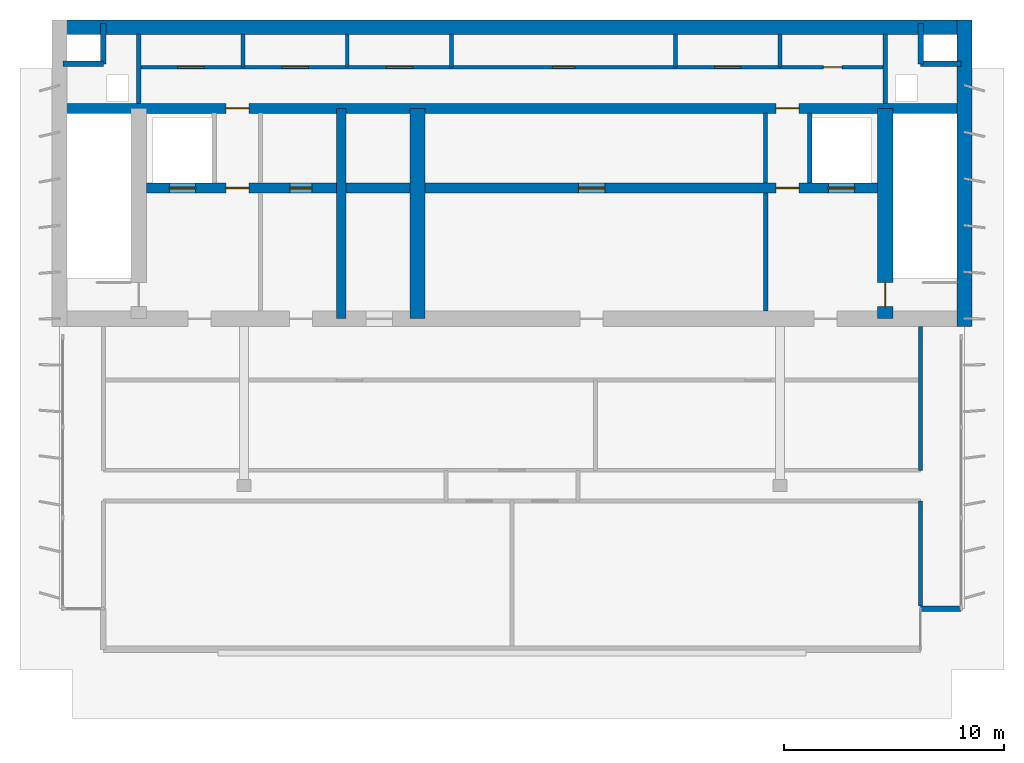
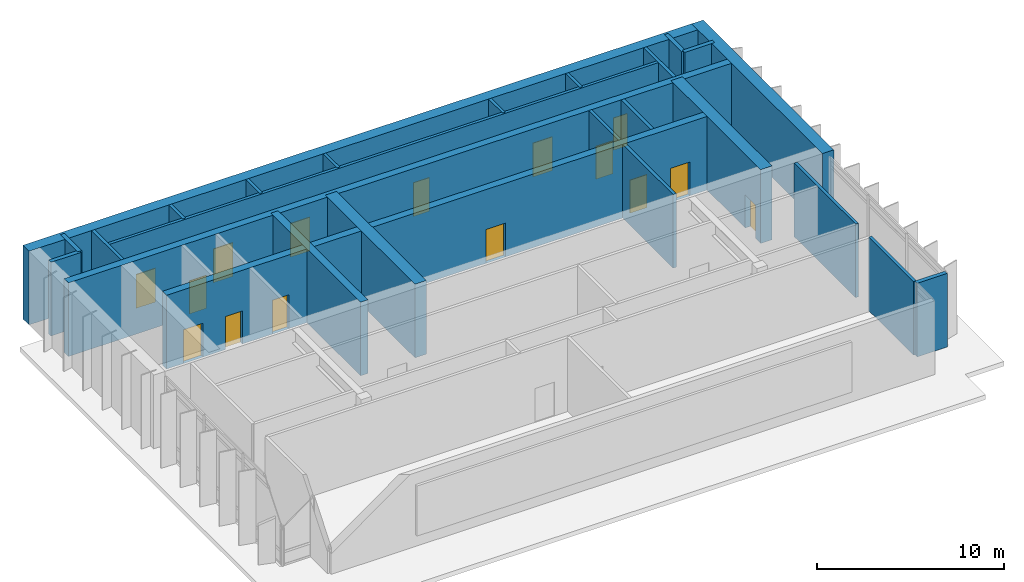
# One storey, part 4 of 5: 25 walls, 15 doors, 15 openings.
"""IFC4 building model written with IfcOpenShell, lengths in metres."""

from ifc_helpers import new_model, si_unit, direction, frame, frame_2d, origin, place, context, subcontext, project, spatial, rectangle, extrude, material, layer, layer_set, type_object, element, fill, save


model = new_model("IFC4")

# Units and contexts
model_context = context("Model", 3, precision=1e-05, world=origin(), true_north=direction((0.0, 1.0)))
body_context = subcontext(model_context, "Body", "Model", "MODEL_VIEW")
ifc_project = project(units=[si_unit("LENGTHUNIT", "METRE"), si_unit("AREAUNIT", "SQUARE_METRE"), si_unit("VOLUMEUNIT", "CUBIC_METRE"), si_unit("PLANEANGLEUNIT", "RADIAN"), si_unit("MASSUNIT", "GRAM", prefix="KILO")], contexts=[model_context])

# Site, building, storey
site_placement = place(None, origin())
site = spatial("IfcSite", under=ifc_project, at=site_placement, CompositionType="ELEMENT")
building_placement = place(site_placement, origin())
building = spatial("IfcBuilding", under=site, at=building_placement, Name="Caelmar Bay Residences", CompositionType="ELEMENT")
storey_placement = place(building_placement, frame((0.0, 0.0, 300.39990234375)))
storey = spatial("IfcBuildingStorey", under=building, at=storey_placement, Name="L82", CompositionType="ELEMENT", Elevation=300.39990234375)

# Wall
ifc_material_1 = material(Name="Concrete f'c 55 MPa (8,000 psi)", Category="concrete")
ifc_layer_1 = layer(ifc_material_1, 0.699951171875)
ifc_layer_set_1 = layer_set([ifc_layer_1], Name="Concrete f'c 55 MPa (8,000 psi)")
wall_type_1 = type_object("IfcWallType", Name="SW-COR-700", PredefinedType="SHEAR", material=ifc_layer_set_1)
wall_1_placement = place(storey_placement, frame((59.5, 36.64990234375, 0.0), z_axis=(0.0, 0.0, 1.0), x_axis=(0.0, 1.0, 0.0)))
element("IfcWall", 1, at=wall_1_placement, inside=storey, type_object=wall_type_1, Name="L82 Rear Core East Shear Wall", PredefinedType="SHEAR", context=body_context, shape_type="SweptSolid", body=[
    extrude(rectangle(XDim=13.9501953125, YDim=0.699951171875, at=frame_2d((6.97509765625, 0.0))), origin(), (0.0, 0.0, 1.0), 4.800048828125),
])

# Wall, opening, door
wall_2_placement = place(storey_placement, frame((55.89990234375, 37.0, 0.0), z_axis=(0.0, 0.0, 1.0), x_axis=(0.0, 1.0, 0.0)))
wall_2 = element("IfcWall", 2, at=wall_2_placement, inside=storey, type_object=wall_type_1, Name="L82 Core Structural Web Wall ST2W", PredefinedType="SHEAR", context=body_context, shape_type="SweptSolid", body=[
    extrude(rectangle(XDim=9.574951171875, YDim=0.699951171875, at=frame_2d((4.78759765625, 0.0))), origin(), (0.0, 0.0, 1.0), 4.800048828125),
])
opening_1_placement = place(wall_2_placement, frame((0.550048828125, 0.0, 0.0)))
opening_1 = element("IfcOpeningElement", 3, at=opening_1_placement, cuts=wall_2, Name="Opening D-L82-108", PredefinedType="OPENING", context=body_context, shape_type="SweptSolid", body=[
    extrude(rectangle(XDim=1.10009765625, YDim=2.14990234375, at=frame_2d((0.550048828125, 1.074951171875))), frame((0.0, 0.35986328125, 0.0), z_axis=(0.0, -1.0, 0.0), x_axis=(1.0, 0.0, 0.0)), (0.0, 0.0, 1.0), 0.719970703125),
])
ifc_material_2 = material(Name="Fire-rated steel and walnut architectural door assembly", Category="steel")
ifc_layer_2 = layer(ifc_material_2, 0.050048828125)
ifc_layer_set_2 = layer_set([ifc_layer_2], Name="Fire-rated steel and walnut architectural door assembly")
door_type_1 = type_object("IfcDoorType", Name="D-STAIR-1100", OperationType="NOTDEFINED", PredefinedType="DOOR", material=ifc_layer_set_2)
door_1_placement = place(opening_1_placement, origin())
door_1 = element("IfcDoor", 4, at=door_1_placement, inside=storey, type_object=door_type_1, Name="L82 Firefighting Lobby East Door", OperationType="SINGLE_SWING_LEFT", OverallHeight=2.14990234375, OverallWidth=1.10009765625, PredefinedType="DOOR", context=body_context, shape_type="SweptSolid", body=[
    extrude(rectangle(XDim=1.10009765625, YDim=2.14990234375, at=frame_2d((0.550048828125, 1.074951171875))), frame((0.0, 0.02490234375, 0.0), z_axis=(0.0, -1.0, 0.0), x_axis=(1.0, 0.0, 0.0)), (0.0, 0.0, 1.0), 0.050048828125),
])
fill(opening_1, door_1)

# Walls
wall_3_placement = place(storey_placement, frame((34.60009765625, 37.0, 0.0), z_axis=(0.0, 0.0, 1.0), x_axis=(0.0, 1.0, 0.0)))
element("IfcWall", 5, at=wall_3_placement, inside=storey, type_object=wall_type_1, Name="L82 Core Structural Web Wall ST3E", PredefinedType="SHEAR", context=body_context, shape_type="SweptSolid", body=[
    extrude(rectangle(XDim=9.574951171875, YDim=0.699951171875, at=frame_2d((4.78759765625, 0.0))), origin(), (0.0, 0.0, 1.0), 4.800048828125),
])
ifc_layer_3 = layer(ifc_material_1, 0.64990234375)
ifc_layer_set_3 = layer_set([ifc_layer_3], Name="Concrete f'c 55 MPa (8,000 psi)")
wall_type_2 = type_object("IfcWallType", Name="SW-CORN-650", PredefinedType="SHEAR", material=ifc_layer_set_3)
wall_4_placement = place(storey_placement, frame((17.949951171875, 50.27490234375, 0.0), z_axis=(0.0, 0.0, 1.0), x_axis=(1.0, 0.0, 0.0)))
element("IfcWall", 6, at=wall_4_placement, inside=storey, type_object=wall_type_2, Name="L82 Rear Core North Shear Wall", PredefinedType="SHEAR", context=body_context, shape_type="SweptSolid", body=[
    extrude(rectangle(XDim=41.900146484375, YDim=0.64990234375, at=frame_2d((20.9501953125, 0.0))), origin(), (0.0, 0.0, 1.0), 4.800048828125),
])
ifc_material_3 = material(Name="Concrete f'c 70 MPa (10,000 psi)", Category="concrete")
ifc_layer_4 = layer(ifc_material_3, 0.449951171875)
ifc_layer_set_4 = layer_set([ifc_layer_4], Name="Concrete f'c 70 MPa (10,000 psi)")
wall_type_3 = type_object("IfcWallType", Name="SW-WEB-450", PredefinedType="SHEAR", material=ifc_layer_set_4)
wall_5_placement = place(storey_placement, frame((31.125, 37.0, 0.0), z_axis=(0.0, 0.0, 1.0), x_axis=(0.0, 1.0, 0.0)))
element("IfcWall", 7, at=wall_5_placement, inside=storey, type_object=wall_type_3, Name="L82 Core Structural Web Wall ST3W", PredefinedType="SHEAR", context=body_context, shape_type="SweptSolid", body=[
    extrude(rectangle(XDim=9.574951171875, YDim=0.449951171875, at=frame_2d((4.78759765625, 0.0))), origin(), (0.0, 0.0, 1.0), 4.800048828125),
])

# Wall, openings, doors
wall_6_placement = place(storey_placement, frame((22.25, 42.949951171875, 0.0), z_axis=(0.0, 0.0, 1.0), x_axis=(1.0, 0.0, 0.0)))
wall_6 = element("IfcWall", 8, at=wall_6_placement, inside=storey, type_object=wall_type_3, Name="L82 Core Structural Web Wall LFR", PredefinedType="SHEAR", context=body_context, shape_type="SweptSolid", body=[
    extrude(rectangle(XDim=33.300048828125, YDim=0.449951171875, at=frame_2d((16.64990234375, 0.0))), origin(), (0.0, 0.0, 1.0), 4.800048828125),
])
opening_2_placement = place(wall_6_placement, frame((1.050048828125, 0.0, 0.0)))
opening_2 = element("IfcOpeningElement", 9, at=opening_2_placement, cuts=wall_6, Name="Opening LD2", PredefinedType="OPENING", context=body_context, shape_type="SweptSolid", body=[
    extrude(rectangle(XDim=1.199951171875, YDim=2.199951171875, at=frame_2d((0.60009765625, 1.10009765625))), frame((0.0, 0.23486328125, 0.0), z_axis=(0.0, -1.0, 0.0), x_axis=(1.0, 0.0, 0.0)), (0.0, 0.0, 1.0), 0.469970703125),
])
opening_3_placement = place(wall_6_placement, frame((31.050048828125, 0.0, 0.0)))
opening_3 = element("IfcOpeningElement", 10, at=opening_3_placement, cuts=wall_6, Name="Opening LD2", PredefinedType="OPENING", context=body_context, shape_type="SweptSolid", body=[
    extrude(rectangle(XDim=1.199951171875, YDim=2.199951171875, at=frame_2d((0.60009765625, 1.10009765625))), frame((0.0, 0.23486328125, 0.0), z_axis=(0.0, -1.0, 0.0), x_axis=(1.0, 0.0, 0.0)), (0.0, 0.0, 1.0), 0.469970703125),
])
opening_4_placement = place(wall_6_placement, frame((3.625, 0.0, 0.0)))
opening_4 = element("IfcOpeningElement", 11, at=opening_4_placement, cuts=wall_6, Name="Opening D-L82-106", PredefinedType="OPENING", context=body_context, shape_type="SweptSolid", body=[
    extrude(rectangle(XDim=1.050048828125, YDim=2.14990234375, at=frame_2d((0.52490234375, 1.074951171875))), frame((0.0, 0.23486328125, 0.0), z_axis=(0.0, -1.0, 0.0), x_axis=(1.0, 0.0, 0.0)), (0.0, 0.0, 1.0), 0.469970703125),
])
opening_5_placement = place(wall_6_placement, frame((28.675048828125, 0.0, 0.0)))
opening_5 = element("IfcOpeningElement", 12, at=opening_5_placement, cuts=wall_6, Name="Opening D-L82-109", PredefinedType="OPENING", context=body_context, shape_type="SweptSolid", body=[
    extrude(rectangle(XDim=1.050048828125, YDim=2.14990234375, at=frame_2d((0.52490234375, 1.074951171875))), frame((0.0, 0.23486328125, 0.0), z_axis=(0.0, -1.0, 0.0), x_axis=(1.0, 0.0, 0.0)), (0.0, 0.0, 1.0), 0.469970703125),
])
opening_6_placement = place(wall_6_placement, frame((6.53759765625, 0.0, 0.0)))
opening_6 = element("IfcOpeningElement", 13, at=opening_6_placement, cuts=wall_6, Name="Opening D-L82-111", PredefinedType="OPENING", context=body_context, shape_type="SweptSolid", body=[
    extrude(rectangle(XDim=1.0, YDim=2.199951171875, at=frame_2d((0.5, 1.10009765625))), frame((0.0, 0.23486328125, 0.0), z_axis=(0.0, -1.0, 0.0), x_axis=(1.0, 0.0, 0.0)), (0.0, 0.0, 1.0), 0.469970703125),
])
opening_7_placement = place(wall_6_placement, frame((19.675048828125, 0.0, 0.0)))
opening_7 = element("IfcOpeningElement", 14, at=opening_7_placement, cuts=wall_6, Name="Opening D-L82-113", PredefinedType="OPENING", context=body_context, shape_type="SweptSolid", body=[
    extrude(rectangle(XDim=1.199951171875, YDim=2.199951171875, at=frame_2d((0.60009765625, 1.10009765625))), frame((0.0, 0.23486328125, 0.0), z_axis=(0.0, -1.0, 0.0), x_axis=(1.0, 0.0, 0.0)), (0.0, 0.0, 1.0), 0.469970703125),
])
ifc_layer_5 = layer(ifc_material_2, 0.050048828125)
ifc_layer_set_5 = layer_set([ifc_layer_5], Name="Fire-rated steel and walnut architectural door assembly")
door_type_2 = type_object("IfcDoorType", Name="D-FSAE-1050", OperationType="NOTDEFINED", PredefinedType="DOOR", material=ifc_layer_set_5)
door_2_placement = place(opening_4_placement, origin())
door_2 = element("IfcDoor", 15, at=door_2_placement, inside=storey, type_object=door_type_2, Name="L82 Firefighting Lobby West Door", OperationType="SINGLE_SWING_LEFT", OverallHeight=2.14990234375, OverallWidth=1.050048828125, PredefinedType="DOOR", context=body_context, shape_type="SweptSolid", body=[
    extrude(rectangle(XDim=1.050048828125, YDim=2.14990234375, at=frame_2d((0.52490234375, 1.074951171875))), frame((0.0, 0.02490234375, 0.0), z_axis=(0.0, -1.0, 0.0), x_axis=(1.0, 0.0, 0.0)), (0.0, 0.0, 1.0), 0.050048828125),
])
fill(opening_4, door_2)
door_3_placement = place(opening_5_placement, origin())
door_3 = element("IfcDoor", 16, at=door_3_placement, inside=storey, type_object=door_type_2, Name="L82 Firefighting Lobby East Door", OperationType="SINGLE_SWING_RIGHT", OverallHeight=2.14990234375, OverallWidth=1.050048828125, PredefinedType="DOOR", context=body_context, shape_type="SweptSolid", body=[
    extrude(rectangle(XDim=1.050048828125, YDim=2.14990234375, at=frame_2d((0.52490234375, 1.074951171875))), frame((0.0, 0.02490234375, 0.0), z_axis=(0.0, -1.0, 0.0), x_axis=(1.0, 0.0, 0.0)), (0.0, 0.0, 1.0), 0.050048828125),
])
fill(opening_5, door_3)
ifc_material_4 = material(Name="Brushed stainless-steel FSAE sliding landing door", Category="steel")
ifc_layer_6 = layer(ifc_material_4, 0.050048828125)
ifc_layer_set_6 = layer_set([ifc_layer_6], Name="Brushed stainless-steel FSAE sliding landing door")
door_type_3 = type_object("IfcDoorType", Name="D-LND-1200", OperationType="DOUBLE_DOOR_SLIDING", PredefinedType="DOOR", material=ifc_layer_set_6)
door_4_placement = place(opening_2_placement, origin())
door_4 = element("IfcDoor", 17, at=door_4_placement, inside=storey, type_object=door_type_3, Name="L82 LF1 Sliding Landing Door", OperationType="DOUBLE_DOOR_SLIDING", OverallHeight=2.199951171875, OverallWidth=1.199951171875, PredefinedType="DOOR", context=body_context, shape_type="SweptSolid", body=[
    extrude(rectangle(XDim=1.199951171875, YDim=2.199951171875, at=frame_2d((0.60009765625, 1.10009765625))), frame((0.0, 0.02490234375, 0.0), z_axis=(0.0, -1.0, 0.0), x_axis=(1.0, 0.0, 0.0)), (0.0, 0.0, 1.0), 0.050048828125),
])
fill(opening_2, door_4)
door_5_placement = place(opening_3_placement, origin())
door_5 = element("IfcDoor", 18, at=door_5_placement, inside=storey, type_object=door_type_3, Name="L82 LF2 Sliding Landing Door", OperationType="DOUBLE_DOOR_SLIDING", OverallHeight=2.199951171875, OverallWidth=1.199951171875, PredefinedType="DOOR", context=body_context, shape_type="SweptSolid", body=[
    extrude(rectangle(XDim=1.199951171875, YDim=2.199951171875, at=frame_2d((0.60009765625, 1.10009765625))), frame((0.0, 0.02490234375, 0.0), z_axis=(0.0, -1.0, 0.0), x_axis=(1.0, 0.0, 0.0)), (0.0, 0.0, 1.0), 0.050048828125),
])
fill(opening_3, door_5)
ifc_layer_7 = layer(ifc_material_2, 0.050048828125)
ifc_layer_set_7 = layer_set([ifc_layer_7], Name="Fire-rated steel and walnut architectural door assembly")
door_type_4 = type_object("IfcDoorType", Name="D-PLANT-1200", OperationType="NOTDEFINED", PredefinedType="DOOR", material=ifc_layer_set_7)
door_6_placement = place(opening_7_placement, origin())
door_6 = element("IfcDoor", 19, at=door_6_placement, inside=storey, type_object=door_type_4, Name="L82 Lift Machine Plant Room Door", OperationType="SINGLE_SWING_RIGHT", OverallHeight=2.199951171875, OverallWidth=1.199951171875, PredefinedType="DOOR", context=body_context, shape_type="SweptSolid", body=[
    extrude(rectangle(XDim=1.199951171875, YDim=2.199951171875, at=frame_2d((0.60009765625, 1.10009765625))), frame((0.0, 0.02490234375, 0.0), z_axis=(0.0, -1.0, 0.0), x_axis=(1.0, 0.0, 0.0)), (0.0, 0.0, 1.0), 0.050048828125),
])
fill(opening_7, door_6)
ifc_layer_8 = layer(ifc_material_2, 0.050048828125)
ifc_layer_set_8 = layer_set([ifc_layer_8], Name="Fire-rated steel and walnut architectural door assembly")
door_type_5 = type_object("IfcDoorType", Name="D-UNIT-1000", OperationType="NOTDEFINED", PredefinedType="DOOR", material=ifc_layer_set_8)
door_7_placement = place(opening_6_placement, origin())
door_7 = element("IfcDoor", 20, at=door_7_placement, inside=storey, type_object=door_type_5, Name="L82 Core Equipment Closet Door", OperationType="SINGLE_SWING_RIGHT", OverallHeight=2.199951171875, OverallWidth=1.0, PredefinedType="DOOR", context=body_context, shape_type="SweptSolid", body=[
    extrude(rectangle(XDim=1.0, YDim=2.199951171875, at=frame_2d((0.5, 1.10009765625))), frame((0.0, 0.02490234375, 0.0), z_axis=(0.0, -1.0, 0.0), x_axis=(1.0, 0.0, 0.0)), (0.0, 0.0, 1.0), 0.050048828125),
])
fill(opening_6, door_7)

wall_7_placement = place(storey_placement, frame((18.300048828125, 46.574951171875, 0.0), z_axis=(0.0, 0.0, 1.0), x_axis=(1.0, 0.0, 0.0)))
wall_7 = element("IfcWall", 21, at=wall_7_placement, inside=storey, type_object=wall_type_3, Name="L82 Core Structural Web Wall SRVS", PredefinedType="SHEAR", context=body_context, shape_type="SweptSolid", body=[
    extrude(rectangle(XDim=41.199951171875, YDim=0.449951171875, at=frame_2d((20.60009765625, 0.0))), origin(), (0.0, 0.0, 1.0), 4.800048828125),
])
opening_8_placement = place(wall_7_placement, frame((7.574951171875, 0.0, 0.0)))
opening_8 = element("IfcOpeningElement", 22, at=opening_8_placement, cuts=wall_7, Name="Opening D-L82-114", PredefinedType="OPENING", context=body_context, shape_type="SweptSolid", body=[
    extrude(rectangle(XDim=1.050048828125, YDim=2.14990234375, at=frame_2d((0.52490234375, 1.074951171875))), frame((0.0, 0.23486328125, 0.0), z_axis=(0.0, -1.0, 0.0), x_axis=(1.0, 0.0, 0.0)), (0.0, 0.0, 1.0), 0.469970703125),
])
opening_9_placement = place(wall_7_placement, frame((32.625, 0.0, 0.0)))
opening_9 = element("IfcOpeningElement", 23, at=opening_9_placement, cuts=wall_7, Name="Opening D-L82-115", PredefinedType="OPENING", context=body_context, shape_type="SweptSolid", body=[
    extrude(rectangle(XDim=1.050048828125, YDim=2.14990234375, at=frame_2d((0.52490234375, 1.074951171875))), frame((0.0, 0.23486328125, 0.0), z_axis=(0.0, -1.0, 0.0), x_axis=(1.0, 0.0, 0.0)), (0.0, 0.0, 1.0), 0.469970703125),
])
door_8_placement = place(opening_8_placement, origin())
door_8 = element("IfcDoor", 24, at=door_8_placement, inside=storey, type_object=door_type_2, Name="L82 Core Service Corridor Door", OperationType="SINGLE_SWING_LEFT", OverallHeight=2.14990234375, OverallWidth=1.050048828125, PredefinedType="DOOR", context=body_context, shape_type="SweptSolid", body=[
    extrude(rectangle(XDim=1.050048828125, YDim=2.14990234375, at=frame_2d((0.52490234375, 1.074951171875))), frame((0.0, 0.02490234375, 0.0), z_axis=(0.0, -1.0, 0.0), x_axis=(1.0, 0.0, 0.0)), (0.0, 0.0, 1.0), 0.050048828125),
])
fill(opening_8, door_8)
door_9_placement = place(opening_9_placement, origin())
door_9 = element("IfcDoor", 25, at=door_9_placement, inside=storey, type_object=door_type_2, Name="L82 Core Service Corridor Door", OperationType="SINGLE_SWING_RIGHT", OverallHeight=2.14990234375, OverallWidth=1.050048828125, PredefinedType="DOOR", context=body_context, shape_type="SweptSolid", body=[
    extrude(rectangle(XDim=1.050048828125, YDim=2.14990234375, at=frame_2d((0.52490234375, 1.074951171875))), frame((0.0, 0.02490234375, 0.0), z_axis=(0.0, -1.0, 0.0), x_axis=(1.0, 0.0, 0.0)), (0.0, 0.0, 1.0), 0.050048828125),
])
fill(opening_9, door_9)

# Walls
ifc_material_5 = material(Name="Double-stud acoustic fire-rated gypsum partition 180 mm")
ifc_layer_9 = layer(ifc_material_5, 0.179931640625)
ifc_layer_set_9 = layer_set([ifc_layer_9], Name="Double-stud acoustic fire-rated gypsum partition 180 mm")
wall_type_4 = type_object("IfcWallType", Name="W-COR-200", PredefinedType="PARTITIONING", material=ifc_layer_set_9)
for number, where, z_axis, x_axis, name in (
    (26, (26.64990234375, 48.449951171875, 0.0), (0.0, 0.0, 1.0), (0.0, 1.0, 0.0), "L82 Partition Wall V005"),
    (27, (31.39990234375, 48.449951171875, 0.0), (0.0, 0.0, 1.0), (0.0, 1.0, 0.0), "L82 Partition Wall V008"),
    (28, (36.14990234375, 48.449951171875, 0.0), (0.0, 0.0, 1.0), (0.0, 1.0, 0.0), "L82 Partition Wall V010"),
    (29, (46.35009765625, 48.449951171875, 0.0), (0.0, 0.0, 1.0), (0.0, 1.0, 0.0), "L82 Partition Wall V014"),
):
    element("IfcWall", number, at=place(storey_placement, frame(where, z_axis=z_axis, x_axis=x_axis)), inside=storey, type_object=wall_type_4, Name=name, PredefinedType="PARTITIONING", context=body_context, shape_type="SweptSolid", body=[
        extrude(rectangle(XDim=1.505126953125, YDim=0.179931640625, at=frame_2d((0.75244140625, 0.0))), origin(), (0.0, 0.0, 1.0), 4.800048828125),
    ])
wall_8_placement = place(storey_placement, frame((50.449951171875, 43.169921875, 0.0), z_axis=(0.0, 0.0, 1.0), x_axis=(0.0, 1.0, 0.0)))
element("IfcWall", 30, at=wall_8_placement, inside=storey, type_object=wall_type_4, Name="L82 Partition Wall V016", PredefinedType="PARTITIONING", context=body_context, shape_type="SweptSolid", body=[
    extrude(rectangle(XDim=3.18505859375, YDim=0.179931640625, at=frame_2d((1.592529296875, 0.0))), origin(), (0.0, 0.0, 1.0), 4.800048828125),
])
wall_9_placement = place(storey_placement, frame((51.10009765625, 48.449951171875, 0.0), z_axis=(0.0, 0.0, 1.0), x_axis=(0.0, 1.0, 0.0)))
element("IfcWall", 31, at=wall_9_placement, inside=storey, type_object=wall_type_4, Name="L82 Partition Wall V017", PredefinedType="PARTITIONING", context=body_context, shape_type="SweptSolid", body=[
    extrude(rectangle(XDim=1.505126953125, YDim=0.179931640625, at=frame_2d((0.75244140625, 0.0))), origin(), (0.0, 0.0, 1.0), 4.800048828125),
])
wall_10_placement = place(storey_placement, frame((57.5, 23.919921875, 0.0), z_axis=(0.0, 0.0, 1.0), x_axis=(0.0, 1.0, 0.0)))
element("IfcWall", 32, at=wall_10_placement, inside=storey, type_object=wall_type_4, Name="L82 Partition Wall V020", PredefinedType="PARTITIONING", context=body_context, shape_type="SweptSolid", body=[
    extrude(rectangle(XDim=4.780029296875, YDim=0.179931640625, at=frame_2d((2.39013671875, 0.0))), origin(), (0.0, 0.0, 1.0), 4.800048828125),
])
wall_11_placement = place(storey_placement, frame((57.5, 30.10009765625, 0.0), z_axis=(0.0, 0.0, 1.0), x_axis=(0.0, 1.0, 0.0)))
element("IfcWall", 33, at=wall_11_placement, inside=storey, type_object=wall_type_4, Name="L82 Partition Wall V021", PredefinedType="PARTITIONING", context=body_context, shape_type="SweptSolid", body=[
    extrude(rectangle(XDim=6.554931640625, YDim=0.179931640625, at=frame_2d((3.27734375, 0.0))), origin(), (0.0, 0.0, 1.0), 4.800048828125),
])

# Wall, openings, doors
wall_12_placement = place(storey_placement, frame((21.89990234375, 48.449951171875, 0.0), z_axis=(0.0, 0.0, 1.0), x_axis=(1.0, 0.0, 0.0)))
wall_12 = element("IfcWall", 34, at=wall_12_placement, inside=storey, type_object=wall_type_4, Name="L82 Partition Wall H025", PredefinedType="PARTITIONING", context=body_context, shape_type="SweptSolid", body=[
    extrude(rectangle(XDim=34.0, YDim=0.179931640625, at=frame_2d((17.0, 0.0))), origin(), (0.0, 0.0, 1.0), 4.800048828125),
])
opening_10_placement = place(wall_12_placement, frame((1.77490234375, 0.0, 0.0)))
opening_10 = element("IfcOpeningElement", 35, at=opening_10_placement, cuts=wall_12, Name="Opening D-L82-116", PredefinedType="OPENING", context=body_context, shape_type="SweptSolid", body=[
    extrude(rectangle(XDim=1.199951171875, YDim=2.199951171875, at=frame_2d((0.60009765625, 1.10009765625))), frame((0.0, 0.099853515625, 0.0), z_axis=(0.0, -1.0, 0.0), x_axis=(1.0, 0.0, 0.0)), (0.0, 0.0, 1.0), 0.199951171875),
])
opening_11_placement = place(wall_12_placement, frame((6.52490234375, 0.0, 0.0)))
opening_11 = element("IfcOpeningElement", 36, at=opening_11_placement, cuts=wall_12, Name="Opening D-L82-117", PredefinedType="OPENING", context=body_context, shape_type="SweptSolid", body=[
    extrude(rectangle(XDim=1.199951171875, YDim=2.199951171875, at=frame_2d((0.60009765625, 1.10009765625))), frame((0.0, 0.099853515625, 0.0), z_axis=(0.0, -1.0, 0.0), x_axis=(1.0, 0.0, 0.0)), (0.0, 0.0, 1.0), 0.199951171875),
])
opening_12_placement = place(wall_12_placement, frame((11.27490234375, 0.0, 0.0)))
opening_12 = element("IfcOpeningElement", 37, at=opening_12_placement, cuts=wall_12, Name="Opening D-L82-118", PredefinedType="OPENING", context=body_context, shape_type="SweptSolid", body=[
    extrude(rectangle(XDim=1.199951171875, YDim=2.199951171875, at=frame_2d((0.60009765625, 1.10009765625))), frame((0.0, 0.099853515625, 0.0), z_axis=(0.0, -1.0, 0.0), x_axis=(1.0, 0.0, 0.0)), (0.0, 0.0, 1.0), 0.199951171875),
])
opening_13_placement = place(wall_12_placement, frame((18.85009765625, 0.0, 0.0)))
opening_13 = element("IfcOpeningElement", 38, at=opening_13_placement, cuts=wall_12, Name="Opening D-L82-119", PredefinedType="OPENING", context=body_context, shape_type="SweptSolid", body=[
    extrude(rectangle(XDim=1.0, YDim=2.199951171875, at=frame_2d((0.5, 1.10009765625))), frame((0.0, 0.099853515625, 0.0), z_axis=(0.0, -1.0, 0.0), x_axis=(1.0, 0.0, 0.0)), (0.0, 0.0, 1.0), 0.199951171875),
])
opening_14_placement = place(wall_12_placement, frame((26.22509765625, 0.0, 0.0)))
opening_14 = element("IfcOpeningElement", 39, at=opening_14_placement, cuts=wall_12, Name="Opening D-L82-120", PredefinedType="OPENING", context=body_context, shape_type="SweptSolid", body=[
    extrude(rectangle(XDim=1.199951171875, YDim=2.199951171875, at=frame_2d((0.60009765625, 1.10009765625))), frame((0.0, 0.099853515625, 0.0), z_axis=(0.0, -1.0, 0.0), x_axis=(1.0, 0.0, 0.0)), (0.0, 0.0, 1.0), 0.199951171875),
])
opening_15_placement = place(wall_12_placement, frame((31.175048828125, 0.0, 0.0)))
opening_15 = element("IfcOpeningElement", 40, at=opening_15_placement, cuts=wall_12, Name="Opening D-L82-121", PredefinedType="OPENING", context=body_context, shape_type="SweptSolid", body=[
    extrude(rectangle(XDim=0.85009765625, YDim=2.10009765625, at=frame_2d((0.425048828125, 1.050048828125))), frame((0.0, 0.099853515625, 0.0), z_axis=(0.0, -1.0, 0.0), x_axis=(1.0, 0.0, 0.0)), (0.0, 0.0, 1.0), 0.199951171875),
])
ifc_layer_10 = layer(ifc_material_2, 0.050048828125)
ifc_layer_set_10 = layer_set([ifc_layer_10], Name="Fire-rated steel and walnut architectural door assembly")
door_type_6 = type_object("IfcDoorType", Name="D-CORE-850", OperationType="NOTDEFINED", PredefinedType="DOOR", material=ifc_layer_set_10)
door_10_placement = place(opening_15_placement, origin())
door_10 = element("IfcDoor", 41, at=door_10_placement, inside=storey, type_object=door_type_6, Name="L82 Staff Restroom Door", OperationType="SINGLE_SWING_RIGHT", OverallHeight=2.10009765625, OverallWidth=0.85009765625, PredefinedType="DOOR", context=body_context, shape_type="SweptSolid", body=[
    extrude(rectangle(XDim=0.85009765625, YDim=2.10009765625, at=frame_2d((0.425048828125, 1.050048828125))), frame((0.0, 0.02490234375, 0.0), z_axis=(0.0, -1.0, 0.0), x_axis=(1.0, 0.0, 0.0)), (0.0, 0.0, 1.0), 0.050048828125),
])
fill(opening_15, door_10)
door_11_placement = place(opening_10_placement, origin())
door_11 = element("IfcDoor", 42, at=door_11_placement, inside=storey, type_object=door_type_4, Name="L82 Branch Panel Closet Door", OperationType="SINGLE_SWING_LEFT", OverallHeight=2.199951171875, OverallWidth=1.199951171875, PredefinedType="DOOR", context=body_context, shape_type="SweptSolid", body=[
    extrude(rectangle(XDim=1.199951171875, YDim=2.199951171875, at=frame_2d((0.60009765625, 1.10009765625))), frame((0.0, 0.02490234375, 0.0), z_axis=(0.0, -1.0, 0.0), x_axis=(1.0, 0.0, 0.0)), (0.0, 0.0, 1.0), 0.050048828125),
])
fill(opening_10, door_11)
door_12_placement = place(opening_11_placement, origin())
door_12 = element("IfcDoor", 43, at=door_12_placement, inside=storey, type_object=door_type_4, Name="L82 Water Meter Closet Door", OperationType="SINGLE_SWING_RIGHT", OverallHeight=2.199951171875, OverallWidth=1.199951171875, PredefinedType="DOOR", context=body_context, shape_type="SweptSolid", body=[
    extrude(rectangle(XDim=1.199951171875, YDim=2.199951171875, at=frame_2d((0.60009765625, 1.10009765625))), frame((0.0, 0.02490234375, 0.0), z_axis=(0.0, -1.0, 0.0), x_axis=(1.0, 0.0, 0.0)), (0.0, 0.0, 1.0), 0.050048828125),
])
fill(opening_11, door_12)
door_13_placement = place(opening_12_placement, origin())
door_13 = element("IfcDoor", 44, at=door_13_placement, inside=storey, type_object=door_type_4, Name="L82 Low-Voltage Data Closet Door", OperationType="SINGLE_SWING_LEFT", OverallHeight=2.199951171875, OverallWidth=1.199951171875, PredefinedType="DOOR", context=body_context, shape_type="SweptSolid", body=[
    extrude(rectangle(XDim=1.199951171875, YDim=2.199951171875, at=frame_2d((0.60009765625, 1.10009765625))), frame((0.0, 0.02490234375, 0.0), z_axis=(0.0, -1.0, 0.0), x_axis=(1.0, 0.0, 0.0)), (0.0, 0.0, 1.0), 0.050048828125),
])
fill(opening_12, door_13)
door_14_placement = place(opening_14_placement, origin())
door_14 = element("IfcDoor", 45, at=door_14_placement, inside=storey, type_object=door_type_4, Name="L82 Valet Trunk Closet Door", OperationType="SINGLE_SWING_LEFT", OverallHeight=2.199951171875, OverallWidth=1.199951171875, PredefinedType="DOOR", context=body_context, shape_type="SweptSolid", body=[
    extrude(rectangle(XDim=1.199951171875, YDim=2.199951171875, at=frame_2d((0.60009765625, 1.10009765625))), frame((0.0, 0.02490234375, 0.0), z_axis=(0.0, -1.0, 0.0), x_axis=(1.0, 0.0, 0.0)), (0.0, 0.0, 1.0), 0.050048828125),
])
fill(opening_14, door_14)
door_15_placement = place(opening_13_placement, origin())
door_15 = element("IfcDoor", 46, at=door_15_placement, inside=storey, type_object=door_type_5, Name="L82 Mail Sorting Office Door", OperationType="SINGLE_SWING_RIGHT", OverallHeight=2.199951171875, OverallWidth=1.0, PredefinedType="DOOR", context=body_context, shape_type="SweptSolid", body=[
    extrude(rectangle(XDim=1.0, YDim=2.199951171875, at=frame_2d((0.5, 1.10009765625))), frame((0.0, 0.02490234375, 0.0), z_axis=(0.0, -1.0, 0.0), x_axis=(1.0, 0.0, 0.0)), (0.0, 0.0, 1.0), 0.050048828125),
])
fill(opening_13, door_15)

# Walls
ifc_material_6 = material(Name="Precast concrete f'c 40 MPa (6,000 psi)", Category="concrete")
ifc_layer_11 = layer(ifc_material_6, 0.25)
ifc_layer_set_11 = layer_set([ifc_layer_11], Name="Precast concrete f'c 40 MPa (6,000 psi)")
wall_type_5 = type_object("IfcWallType", Name="W-EXT-250", PredefinedType="ELEMENTEDWALL", material=ifc_layer_set_11)
for number, where, z_axis, x_axis, name in (
    (47, (57.5, 23.800048828125, 0.0), (0.0, 0.0, 1.0), (1.0, 0.0, 0.0), "L82 SE Notch Return Wall"),
    (48, (18.449951171875, 48.60009765625, 0.0), (0.0, 0.0, 1.0), (1.0, 0.0, 0.0), "L82 NNW-H Notch Wall"),
):
    element("IfcWall", number, at=place(storey_placement, frame(where, z_axis=z_axis, x_axis=x_axis)), inside=storey, type_object=wall_type_5, Name=name, PredefinedType="ELEMENTEDWALL", context=body_context, shape_type="SweptSolid", body=[
        extrude(rectangle(XDim=1.85009765625, YDim=0.25, at=frame_2d((0.925048828125, 0.0))), origin(), (0.0, 0.0, 1.0), 4.800048828125),
    ])
for number, where, z_axis, x_axis, name in (
    (49, (20.300048828125, 48.60009765625, 0.0), (0.0, 0.0, 1.0), (0.0, 1.0, 0.0), "L82 NNW-V Notch Wall"),
    (50, (57.5, 50.449951171875, 0.0), (0.0, 0.0, 1.0), (0.0, -1.0, 0.0), "L82 NNE-V Notch Wall"),
):
    element("IfcWall", number, at=place(storey_placement, frame(where, z_axis=z_axis, x_axis=x_axis)), inside=storey, type_object=wall_type_5, Name=name, PredefinedType="ELEMENTEDWALL", context=body_context, shape_type="SweptSolid", body=[
        extrude(rectangle(XDim=1.849853515625, YDim=0.25, at=frame_2d((0.9248046875, 0.0))), origin(), (0.0, 0.0, 1.0), 4.800048828125),
    ])
wall_13_placement = place(storey_placement, frame((57.5, 48.60009765625, 0.0), z_axis=(0.0, 0.0, 1.0), x_axis=(1.0, 0.0, 0.0)))
element("IfcWall", 51, at=wall_13_placement, inside=storey, type_object=wall_type_5, Name="L82 NNE-H Notch Wall", PredefinedType="ELEMENTEDWALL", context=body_context, shape_type="SweptSolid", body=[
    extrude(rectangle(XDim=1.85009765625, YDim=0.25, at=frame_2d((0.925048828125, 0.0))), origin(), (0.0, 0.0, 1.0), 4.800048828125),
])
ifc_material_7 = material(Name="Fire-rated masonry and gypsum shaftliner assembly 200 mm", Category="masonry")
ifc_layer_12 = layer(ifc_material_7, 0.199951171875)
ifc_layer_set_12 = layer_set([ifc_layer_12], Name="Fire-rated masonry and gypsum shaftliner assembly 200 mm")
wall_type_6 = type_object("IfcWallType", Name="W-FSAE-200", PredefinedType="PARTITIONING", material=ifc_layer_set_12)
wall_14_placement = place(storey_placement, frame((21.89990234375, 46.794921875, 0.0), z_axis=(0.0, 0.0, 1.0), x_axis=(0.0, 1.0, 0.0)))
element("IfcWall", 52, at=wall_14_placement, inside=storey, type_object=wall_type_6, Name="L82 Partition Wall V003", PredefinedType="PARTITIONING", context=body_context, shape_type="SweptSolid", body=[
    extrude(rectangle(XDim=3.16015625, YDim=0.199951171875, at=frame_2d((1.580078125, 0.0))), origin(), (0.0, 0.0, 1.0), 4.800048828125),
])
wall_15_placement = place(storey_placement, frame((50.449951171875, 37.344970703125, 0.0), z_axis=(0.0, 0.0, 1.0), x_axis=(0.0, 1.0, 0.0)))
element("IfcWall", 53, at=wall_15_placement, inside=storey, type_object=wall_type_6, Name="L82 Partition Wall V015", PredefinedType="PARTITIONING", context=body_context, shape_type="SweptSolid", body=[
    extrude(rectangle(XDim=5.385009765625, YDim=0.199951171875, at=frame_2d((2.6923828125, 0.0))), origin(), (0.0, 0.0, 1.0), 4.800048828125),
])
wall_16_placement = place(storey_placement, frame((52.449951171875, 43.169921875, 0.0), z_axis=(0.0, 0.0, 1.0), x_axis=(0.0, 1.0, 0.0)))
element("IfcWall", 54, at=wall_16_placement, inside=storey, type_object=wall_type_6, Name="L82 Partition Wall V018", PredefinedType="PARTITIONING", context=body_context, shape_type="SweptSolid", body=[
    extrude(rectangle(XDim=3.18505859375, YDim=0.199951171875, at=frame_2d((1.592529296875, 0.0))), origin(), (0.0, 0.0, 1.0), 4.800048828125),
])
wall_17_placement = place(storey_placement, frame((55.89990234375, 46.794921875, 0.0), z_axis=(0.0, 0.0, 1.0), x_axis=(0.0, 1.0, 0.0)))
element("IfcWall", 55, at=wall_17_placement, inside=storey, type_object=wall_type_6, Name="L82 Partition Wall V019", PredefinedType="PARTITIONING", context=body_context, shape_type="SweptSolid", body=[
    extrude(rectangle(XDim=3.16015625, YDim=0.199951171875, at=frame_2d((1.580078125, 0.0))), origin(), (0.0, 0.0, 1.0), 4.800048828125),
])

save(model, "model.ifc")
